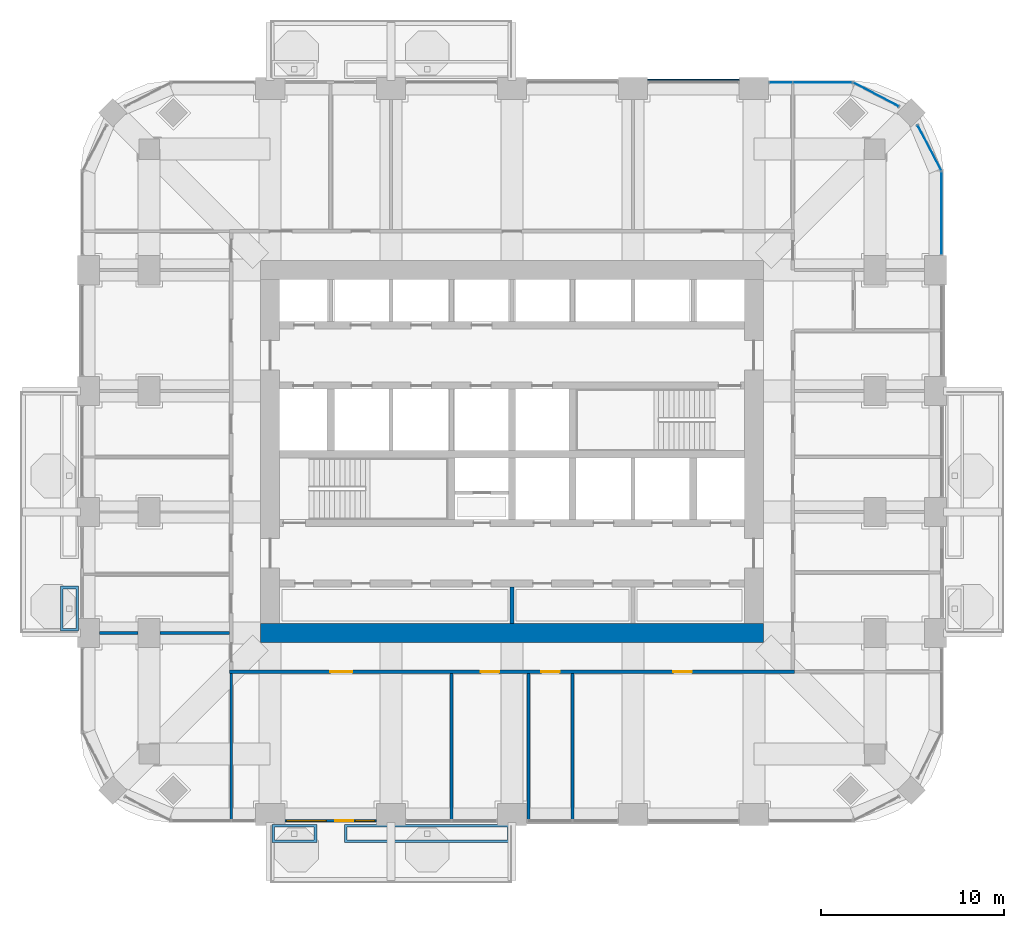
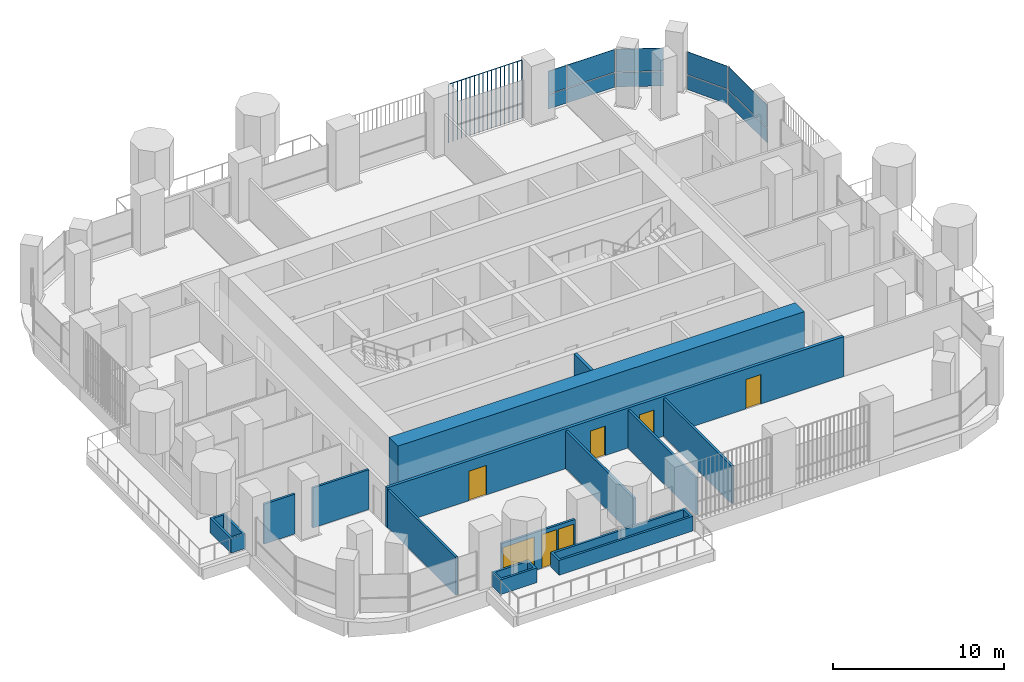
# One storey, part 11 of 20: 13 walls, 11 plates, 5 doors, 2 windows, 7 openings, 4 elements without a shape of their own.
"""IFC4 building model written with IfcOpenShell, lengths in metres."""

from ifc_helpers import new_model, si_unit, direction, frame, frame_2d, origin, origin_2d, place, context, subcontext, project, spatial, polyline, rectangle, outline, extrude, material, layer, layer_set, type_object, element, fill, aggregate, save


model = new_model("IFC4")

# Units and contexts
model_context = context("Model", 3, precision=1e-05, world=origin(), true_north=direction((0.0, 1.0)))
body_context = subcontext(model_context, "Body", "Model", "MODEL_VIEW")
ifc_project = project(units=[si_unit("LENGTHUNIT", "METRE"), si_unit("AREAUNIT", "SQUARE_METRE"), si_unit("VOLUMEUNIT", "CUBIC_METRE"), si_unit("PLANEANGLEUNIT", "RADIAN"), si_unit("MASSUNIT", "GRAM", prefix="KILO")], contexts=[model_context])

# Site, building, storey
site_placement = place(None, origin())
site = spatial("IfcSite", under=ifc_project, at=site_placement, CompositionType="ELEMENT")
building_placement = place(site_placement, origin())
building = spatial("IfcBuilding", under=site, at=building_placement, Name="Cobogo Forest Laboratory Tower", CompositionType="ELEMENT")
storey_placement = place(building_placement, frame((0.0, 0.0, 193.5)))
storey = spatial("IfcBuildingStorey", under=building, at=storey_placement, Name="L44", CompositionType="ELEMENT", Elevation=193.5)

# Curtain wall, plates
ifc_material_1 = material(Name="Aluminium curtain wall", Category="aluminium")
curtain_wall_type = type_object("IfcCurtainWallType", Name="CW-2 unitised curtain wall, solar control glazing, laboratory floors zones C and D", PredefinedType="USERDEFINED", material=ifc_material_1)
curtain_wall_1_placement = place(storey_placement, origin())
curtain_wall_1 = element("IfcCurtainWall", 1, at=curtain_wall_1_placement, inside=storey, type_object=curtain_wall_type, Name="Curtain wall 13 L44", ObjectType="UNITISED CURTAIN WALL", PredefinedType="USERDEFINED")
ifc_material_2 = material(Name="Solar control insulated glass", Category="glass")
ifc_layer_1 = layer(ifc_material_2, 0.031982421875)
ifc_layer_set_1 = layer_set([ifc_layer_1], Name="GP-2 solar control glass unit 32")
plate_type_1 = type_object("IfcPlateType", Name="GP-2 solar control glass unit 32", PredefinedType="CURTAIN_PANEL", material=ifc_layer_set_1)
plate_1_placement = place(storey_placement, frame((49.85009765625, 36.10009765625, 0.0), z_axis=(0.0, 0.0, 1.0), x_axis=(0.0, 1.0, 0.0)))
plate_1 = element("IfcPlate", 2, at=plate_1_placement, type_object=plate_type_1, Name="CW-2 panel 1.1", PredefinedType="CURTAIN_PANEL", context=body_context, shape_type="SweptSolid", body=[
    extrude(rectangle(XDim=4.47998046875, YDim=0.031982421875, at=origin_2d()), origin(), (0.0, 0.0, 1.0), 1.02001953125),
])
plate_2_placement = place(storey_placement, frame((49.85009765625, 36.10009765625, 1.079833984375), z_axis=(0.0, 0.0, 1.0), x_axis=(0.0, 1.0, 0.0)))
plate_2 = element("IfcPlate", 3, at=plate_2_placement, type_object=plate_type_1, Name="CW-2 panel 1.2", PredefinedType="CURTAIN_PANEL", context=body_context, shape_type="SweptSolid", body=[
    extrude(rectangle(XDim=4.47998046875, YDim=0.031982421875, at=origin_2d()), origin(), (0.0, 0.0, 1.0), 1.6201171875),
])
aggregate(curtain_wall_1, [plate_1, plate_2])

curtain_wall_2_placement = place(storey_placement, origin())
curtain_wall_2 = element("IfcCurtainWall", 4, at=curtain_wall_2_placement, inside=storey, type_object=curtain_wall_type, Name="Curtain wall 14 L44", ObjectType="UNITISED CURTAIN WALL", PredefinedType="USERDEFINED")
plate_3_placement = place(storey_placement, frame((49.181396484375, 39.675537109375, 0.0), z_axis=(0.0, 0.0, 1.0), x_axis=(-0.464283804832, 0.885686484356, 0.0)))
plate_3 = element("IfcPlate", 5, at=plate_3_placement, type_object=plate_type_1, Name="CW-2 panel 1.1", PredefinedType="CURTAIN_PANEL", context=body_context, shape_type="SweptSolid", body=[
    extrude(rectangle(XDim=2.76025390625, YDim=0.031982421875, at=origin_2d()), origin(), (0.0, 0.0, 1.0), 1.02001953125),
])
plate_4_placement = place(storey_placement, frame((49.181396484375, 39.675537109375, 1.079833984375), z_axis=(0.0, 0.0, 1.0), x_axis=(-0.464283804832, 0.885686484356, 0.0)))
plate_4 = element("IfcPlate", 6, at=plate_4_placement, type_object=plate_type_1, Name="CW-2 panel 1.2", PredefinedType="CURTAIN_PANEL", context=body_context, shape_type="SweptSolid", body=[
    extrude(rectangle(XDim=2.76025390625, YDim=0.031982421875, at=origin_2d()), origin(), (0.0, 0.0, 1.0), 1.6201171875),
])
aggregate(curtain_wall_2, [plate_3, plate_4])

curtain_wall_3_placement = place(storey_placement, origin())
curtain_wall_3 = element("IfcCurtainWall", 7, at=curtain_wall_3_placement, inside=storey, type_object=curtain_wall_type, Name="Curtain wall 15 L44", ObjectType="UNITISED CURTAIN WALL", PredefinedType="USERDEFINED")
plate_5_placement = place(storey_placement, frame((46.275634765625, 42.581298828125, 0.0), z_axis=(0.0, 0.0, 1.0), x_axis=(-0.885686484356, 0.464283804832, 0.0)))
plate_5 = element("IfcPlate", 8, at=plate_5_placement, type_object=plate_type_1, Name="CW-2 panel 1.1", PredefinedType="CURTAIN_PANEL", context=body_context, shape_type="SweptSolid", body=[
    extrude(rectangle(XDim=2.76025390625, YDim=0.031982421875, at=origin_2d()), origin(), (0.0, 0.0, 1.0), 1.02001953125),
])
plate_6_placement = place(storey_placement, frame((46.275634765625, 42.581298828125, 1.079833984375), z_axis=(0.0, 0.0, 1.0), x_axis=(-0.885686484356, 0.464283804832, 0.0)))
plate_6 = element("IfcPlate", 9, at=plate_6_placement, type_object=plate_type_1, Name="CW-2 panel 1.2", PredefinedType="CURTAIN_PANEL", context=body_context, shape_type="SweptSolid", body=[
    extrude(rectangle(XDim=2.76025390625, YDim=0.031982421875, at=origin_2d()), origin(), (0.0, 0.0, 1.0), 1.6201171875),
])
aggregate(curtain_wall_3, [plate_5, plate_6])

curtain_wall_4_placement = place(storey_placement, origin())
curtain_wall_4 = element("IfcCurtainWall", 10, at=curtain_wall_4_placement, inside=storey, type_object=curtain_wall_type, Name="Curtain wall 16 L44", ObjectType="UNITISED CURTAIN WALL", PredefinedType="USERDEFINED")
plate_7_placement = place(storey_placement, frame((43.347412109375, 43.25, 0.0), z_axis=(0.0, 0.0, 1.0), x_axis=(-1.0, 0.0, 0.0)))
plate_7 = element("IfcPlate", 11, at=plate_7_placement, type_object=plate_type_1, Name="CW-2 panel 1.1", PredefinedType="CURTAIN_PANEL", context=body_context, shape_type="SweptSolid", body=[
    extrude(rectangle(XDim=3.18505859375, YDim=0.031982421875, at=origin_2d()), origin(), (0.0, 0.0, 1.0), 1.02001953125),
])
plate_8_placement = place(storey_placement, frame((43.347412109375, 43.25, 1.079833984375), z_axis=(0.0, 0.0, 1.0), x_axis=(-1.0, 0.0, 0.0)))
plate_8 = element("IfcPlate", 12, at=plate_8_placement, type_object=plate_type_1, Name="CW-2 panel 1.2", PredefinedType="CURTAIN_PANEL", context=body_context, shape_type="SweptSolid", body=[
    extrude(rectangle(XDim=3.18505859375, YDim=0.031982421875, at=origin_2d()), origin(), (0.0, 0.0, 1.0), 1.6201171875),
])
plate_9_placement = place(storey_placement, frame((41.077392578125, 43.25, 0.0), z_axis=(0.0, 0.0, 1.0), x_axis=(-1.0, 0.0, 0.0)))
plate_9 = element("IfcPlate", 13, at=plate_9_placement, type_object=plate_type_1, Name="CW-2 panel 2.1", PredefinedType="CURTAIN_PANEL", context=body_context, shape_type="SweptSolid", body=[
    extrude(rectangle(XDim=1.235107421875, YDim=0.031982421875, at=origin_2d()), origin(), (0.0, 0.0, 1.0), 1.02001953125),
])
plate_10_placement = place(storey_placement, frame((41.077392578125, 43.25, 1.079833984375), z_axis=(0.0, 0.0, 1.0), x_axis=(-1.0, 0.0, 0.0)))
plate_10 = element("IfcPlate", 14, at=plate_10_placement, type_object=plate_type_1, Name="CW-2 panel 2.2", PredefinedType="CURTAIN_PANEL", context=body_context, shape_type="SweptSolid", body=[
    extrude(rectangle(XDim=1.235107421875, YDim=0.031982421875, at=origin_2d()), origin(), (0.0, 0.0, 1.0), 1.6201171875),
])
aggregate(curtain_wall_4, [plate_7, plate_8, plate_9, plate_10])

# Plate
ifc_material_3 = material(Name="Terracotta", Category="masonry")
plate_type_2 = type_object("IfcPlateType", Name="TB1 terracotta baguette screen", PredefinedType="USERDEFINED", material=ifc_material_3)
plate_11_placement = place(storey_placement, frame((33.831298828125, 43.3779296875, -0.14990234375)))
element("IfcPlate", 15, at=plate_11_placement, inside=storey, type_object=plate_type_2, Name="Baguette screen N4 L44", ObjectType="BAGUETTE SCREEN", PredefinedType="USERDEFINED", context=body_context, shape_type="SweptSolid", body=[
    extrude(outline(polyline([(0.02880859375, 0.011962890625), (0.011962890625, 0.02880859375), (-0.011962890625, 0.02880859375), (-0.02880859375, 0.011962890625), (-0.02880859375, -0.011962890625), (-0.011962890625, -0.02880859375), (0.011962890625, -0.02880859375), (0.02880859375, -0.011962890625), (0.02880859375, 0.011962890625)])), frame((0.0, 0.0, 4.168701171875), z_axis=(1.0, 0.0, 0.0), x_axis=(0.0, 1.0, 0.0)), (0.0, 0.0, 1.0), 4.9375),
    extrude(outline(polyline([(0.02880859375, 0.011962890625), (0.011962890625, 0.02880859375), (-0.011962890625, 0.02880859375), (-0.02880859375, 0.011962890625), (-0.02880859375, -0.011962890625), (-0.011962890625, -0.02880859375), (0.011962890625, -0.02880859375), (0.02880859375, -0.011962890625), (0.02880859375, 0.011962890625)])), origin(), (0.0, 0.0, 1.0), 4.137451171875),
    extrude(outline(polyline([(0.02880859375, 0.011962890625), (0.011962890625, 0.02880859375), (-0.011962890625, 0.02880859375), (-0.02880859375, 0.011962890625), (-0.02880859375, -0.011962890625), (-0.011962890625, -0.02880859375), (0.011962890625, -0.02880859375), (0.02880859375, -0.011962890625), (0.02880859375, 0.011962890625)])), frame((0.29052734375, 0.0, 0.0)), (0.0, 0.0, 1.0), 4.137451171875),
    extrude(outline(polyline([(0.02880859375, 0.011962890625), (0.011962890625, 0.02880859375), (-0.011962890625, 0.02880859375), (-0.02880859375, 0.011962890625), (-0.02880859375, -0.011962890625), (-0.011962890625, -0.02880859375), (0.011962890625, -0.02880859375), (0.02880859375, -0.011962890625), (0.02880859375, 0.011962890625)])), frame((0.580810546875, 0.0, 0.0)), (0.0, 0.0, 1.0), 4.137451171875),
    extrude(outline(polyline([(0.02880859375, 0.011962890625), (0.011962890625, 0.02880859375), (-0.011962890625, 0.02880859375), (-0.02880859375, 0.011962890625), (-0.02880859375, -0.011962890625), (-0.011962890625, -0.02880859375), (0.011962890625, -0.02880859375), (0.02880859375, -0.011962890625), (0.02880859375, 0.011962890625)])), frame((0.871337890625, 0.0, 0.0)), (0.0, 0.0, 1.0), 4.137451171875),
    extrude(outline(polyline([(0.02880859375, 0.011962890625), (0.011962890625, 0.02880859375), (-0.011962890625, 0.02880859375), (-0.02880859375, 0.011962890625), (-0.02880859375, -0.011962890625), (-0.011962890625, -0.02880859375), (0.011962890625, -0.02880859375), (0.02880859375, -0.011962890625), (0.02880859375, 0.011962890625)])), frame((1.161865234375, 0.0, 0.0)), (0.0, 0.0, 1.0), 4.137451171875),
    extrude(outline(polyline([(0.02880859375, 0.011962890625), (0.011962890625, 0.02880859375), (-0.011962890625, 0.02880859375), (-0.02880859375, 0.011962890625), (-0.02880859375, -0.011962890625), (-0.011962890625, -0.02880859375), (0.011962890625, -0.02880859375), (0.02880859375, -0.011962890625), (0.02880859375, 0.011962890625)])), frame((1.4521484375, 0.0, 0.0)), (0.0, 0.0, 1.0), 4.137451171875),
    extrude(outline(polyline([(0.02880859375, 0.011962890625), (0.011962890625, 0.02880859375), (-0.011962890625, 0.02880859375), (-0.02880859375, 0.011962890625), (-0.02880859375, -0.011962890625), (-0.011962890625, -0.02880859375), (0.011962890625, -0.02880859375), (0.02880859375, -0.011962890625), (0.02880859375, 0.011962890625)])), frame((1.74267578125, 0.0, 0.0)), (0.0, 0.0, 1.0), 4.137451171875),
    extrude(outline(polyline([(0.02880859375, 0.011962890625), (0.011962890625, 0.02880859375), (-0.011962890625, 0.02880859375), (-0.02880859375, 0.011962890625), (-0.02880859375, -0.011962890625), (-0.011962890625, -0.02880859375), (0.011962890625, -0.02880859375), (0.02880859375, -0.011962890625), (0.02880859375, 0.011962890625)])), frame((2.033203125, 0.0, 0.0)), (0.0, 0.0, 1.0), 4.137451171875),
    extrude(outline(polyline([(0.02880859375, 0.011962890625), (0.011962890625, 0.02880859375), (-0.011962890625, 0.02880859375), (-0.02880859375, 0.011962890625), (-0.02880859375, -0.011962890625), (-0.011962890625, -0.02880859375), (0.011962890625, -0.02880859375), (0.02880859375, -0.011962890625), (0.02880859375, 0.011962890625)])), frame((2.323486328125, 0.0, 0.0)), (0.0, 0.0, 1.0), 4.137451171875),
    extrude(outline(polyline([(0.02880859375, 0.011962890625), (0.011962890625, 0.02880859375), (-0.011962890625, 0.02880859375), (-0.02880859375, 0.011962890625), (-0.02880859375, -0.011962890625), (-0.011962890625, -0.02880859375), (0.011962890625, -0.02880859375), (0.02880859375, -0.011962890625), (0.02880859375, 0.011962890625)])), frame((2.614013671875, 0.0, 0.0)), (0.0, 0.0, 1.0), 4.137451171875),
    extrude(outline(polyline([(0.02880859375, 0.011962890625), (0.011962890625, 0.02880859375), (-0.011962890625, 0.02880859375), (-0.02880859375, 0.011962890625), (-0.02880859375, -0.011962890625), (-0.011962890625, -0.02880859375), (0.011962890625, -0.02880859375), (0.02880859375, -0.011962890625), (0.02880859375, 0.011962890625)])), frame((2.904296875, 0.0, 0.0)), (0.0, 0.0, 1.0), 4.137451171875),
    extrude(outline(polyline([(0.02880859375, 0.011962890625), (0.011962890625, 0.02880859375), (-0.011962890625, 0.02880859375), (-0.02880859375, 0.011962890625), (-0.02880859375, -0.011962890625), (-0.011962890625, -0.02880859375), (0.011962890625, -0.02880859375), (0.02880859375, -0.011962890625), (0.02880859375, 0.011962890625)])), frame((3.19482421875, 0.0, 0.0)), (0.0, 0.0, 1.0), 4.137451171875),
    extrude(outline(polyline([(0.02880859375, 0.011962890625), (0.011962890625, 0.02880859375), (-0.011962890625, 0.02880859375), (-0.02880859375, 0.011962890625), (-0.02880859375, -0.011962890625), (-0.011962890625, -0.02880859375), (0.011962890625, -0.02880859375), (0.02880859375, -0.011962890625), (0.02880859375, 0.011962890625)])), frame((3.4853515625, 0.0, 0.0)), (0.0, 0.0, 1.0), 4.137451171875),
    extrude(outline(polyline([(0.02880859375, 0.011962890625), (0.011962890625, 0.02880859375), (-0.011962890625, 0.02880859375), (-0.02880859375, 0.011962890625), (-0.02880859375, -0.011962890625), (-0.011962890625, -0.02880859375), (0.011962890625, -0.02880859375), (0.02880859375, -0.011962890625), (0.02880859375, 0.011962890625)])), frame((3.775634765625, 0.0, 0.0)), (0.0, 0.0, 1.0), 4.137451171875),
    extrude(outline(polyline([(0.02880859375, 0.011962890625), (0.011962890625, 0.02880859375), (-0.011962890625, 0.02880859375), (-0.02880859375, 0.011962890625), (-0.02880859375, -0.011962890625), (-0.011962890625, -0.02880859375), (0.011962890625, -0.02880859375), (0.02880859375, -0.011962890625), (0.02880859375, 0.011962890625)])), frame((4.066162109375, 0.0, 0.0)), (0.0, 0.0, 1.0), 4.137451171875),
    extrude(outline(polyline([(0.02880859375, 0.011962890625), (0.011962890625, 0.02880859375), (-0.011962890625, 0.02880859375), (-0.02880859375, 0.011962890625), (-0.02880859375, -0.011962890625), (-0.011962890625, -0.02880859375), (0.011962890625, -0.02880859375), (0.02880859375, -0.011962890625), (0.02880859375, 0.011962890625)])), frame((4.356689453125, 0.0, 0.0)), (0.0, 0.0, 1.0), 4.137451171875),
    extrude(outline(polyline([(0.02880859375, 0.011962890625), (0.011962890625, 0.02880859375), (-0.011962890625, 0.02880859375), (-0.02880859375, 0.011962890625), (-0.02880859375, -0.011962890625), (-0.011962890625, -0.02880859375), (0.011962890625, -0.02880859375), (0.02880859375, -0.011962890625), (0.02880859375, 0.011962890625)])), frame((4.64697265625, 0.0, 0.0)), (0.0, 0.0, 1.0), 4.137451171875),
    extrude(outline(polyline([(0.02880859375, 0.011962890625), (0.011962890625, 0.02880859375), (-0.011962890625, 0.02880859375), (-0.02880859375, 0.011962890625), (-0.02880859375, -0.011962890625), (-0.011962890625, -0.02880859375), (0.011962890625, -0.02880859375), (0.02880859375, -0.011962890625), (0.02880859375, 0.011962890625)])), frame((4.9375, 0.0, 0.0)), (0.0, 0.0, 1.0), 4.137451171875),
])

# Wall
ifc_material_4 = material(Name="Concrete HA-50 (C50/60)", Category="concrete")
ifc_layer_2 = layer(ifc_material_4, 1.050048828125)
ifc_layer_set_2 = layer_set([ifc_layer_2], Name="CW1050 core outer wall 1050")
wall_type_1 = type_object("IfcWallType", Name="CW1050 core outer wall 1050", PredefinedType="SHEAR", material=ifc_layer_set_2)
wall_1_placement = place(storey_placement, frame((12.675048828125, 13.199951171875, 0.0), z_axis=(0.0, 0.0, 1.0), x_axis=(1.0, 0.0, 0.0)))
element("IfcWall", 16, at=wall_1_placement, inside=storey, type_object=wall_type_1, Name="Core wall CO-S L44", PredefinedType="SHEAR", context=body_context, shape_type="SweptSolid", body=[
    extrude(rectangle(XDim=27.449951171875, YDim=1.050048828125, at=frame_2d((13.72509765625, 0.0))), origin(), (0.0, 0.0, 1.0), 4.199951171875),
])

# Wall, openings, door, windows
ifc_material_5 = material(Name="Aluminium framed glazed screen", Category="aluminium")
ifc_layer_3 = layer(ifc_material_5, 0.14990234375)
ifc_layer_set_3 = layer_set([ifc_layer_3], Name="GS1 glazed door screen 150")
wall_type_2 = type_object("IfcWallType", Name="GS1 glazed door screen 150", PredefinedType="SOLIDWALL", material=ifc_layer_set_3)
wall_2_placement = place(storey_placement, frame((14.0, 2.949951171875, 0.0), z_axis=(0.0, 0.0, 1.0), x_axis=(1.0, 0.0, 0.0)))
wall_2 = element("IfcWall", 17, at=wall_2_placement, inside=storey, type_object=wall_type_2, Name="Door screen BAL-S1 L44", PredefinedType="SOLIDWALL", context=body_context, shape_type="SweptSolid", body=[
    extrude(rectangle(XDim=5.0, YDim=0.14990234375, at=frame_2d((2.5, 0.0))), origin(), (0.0, 0.0, 1.0), 2.699951171875),
])
opening_1_placement = place(wall_2_placement, frame((2.75, 0.0, 0.0)))
opening_1 = element("IfcOpeningElement", 18, at=opening_1_placement, cuts=wall_2, Name="Opening L44-D01", PredefinedType="OPENING", context=body_context, shape_type="SweptSolid", body=[
    extrude(rectangle(XDim=1.0, YDim=2.39990234375, at=frame_2d((0.5, 1.199951171875))), frame((0.0, 0.0849609375, 0.0), z_axis=(0.0, -1.0, 0.0), x_axis=(1.0, 0.0, 0.0)), (0.0, 0.0, 1.0), 0.169921875),
])
opening_2_placement = place(wall_2_placement, frame((0.10009765625, 0.0, 0.10009765625)))
opening_2 = element("IfcOpeningElement", 19, at=opening_2_placement, cuts=wall_2, Name="Opening L44-W01", PredefinedType="OPENING", context=body_context, shape_type="SweptSolid", body=[
    extrude(rectangle(XDim=2.14990234375, YDim=2.300048828125, at=frame_2d((1.074951171875, 1.14990234375))), frame((0.0, 0.0849609375, 0.0), z_axis=(0.0, -1.0, 0.0), x_axis=(1.0, 0.0, 0.0)), (0.0, 0.0, 1.0), 0.169921875),
])
opening_3_placement = place(wall_2_placement, frame((3.85009765625, 0.0, 0.10009765625)))
opening_3 = element("IfcOpeningElement", 20, at=opening_3_placement, cuts=wall_2, Name="Opening L44-W02", PredefinedType="OPENING", context=body_context, shape_type="SweptSolid", body=[
    extrude(rectangle(XDim=1.050048828125, YDim=2.300048828125, at=frame_2d((0.52490234375, 1.14990234375))), frame((0.0, 0.0849609375, 0.0), z_axis=(0.0, -1.0, 0.0), x_axis=(1.0, 0.0, 0.0)), (0.0, 0.0, 1.0), 0.169921875),
])
ifc_material_6 = material(Name="Aluminium glazed door", Category="aluminium")
door_type_1 = type_object("IfcDoorType", Name="DB1 balcony door 1000 glazed", OperationType="SINGLE_SWING_LEFT", PredefinedType="DOOR", material=ifc_material_6)
door_1_placement = place(opening_1_placement, origin())
door_1 = element("IfcDoor", 21, at=door_1_placement, inside=storey, type_object=door_type_1, Name="Door L44-BAL-S1", OperationType="SINGLE_SWING_RIGHT", OverallHeight=2.39990234375, OverallWidth=1.0, PredefinedType="DOOR", context=body_context, shape_type="SweptSolid", body=[
    extrude(rectangle(XDim=1.0, YDim=2.39990234375, at=frame_2d((0.5, 1.199951171875))), frame((0.0, 0.02490234375, 0.0), z_axis=(0.0, -1.0, 0.0), x_axis=(1.0, 0.0, 0.0)), (0.0, 0.0, 1.0), 0.050048828125),
])
fill(opening_1, door_1)
ifc_material_7 = material(Name="Aluminium framed glazing", Category="aluminium")
window_type_1 = type_object("IfcWindowType", Name="WG13 fixed glazed light 2150x2300", PartitioningType="SINGLE_PANEL", PredefinedType="WINDOW", material=ifc_material_7)
window_1_placement = place(opening_2_placement, origin())
window_1 = element("IfcWindow", 22, at=window_1_placement, inside=storey, type_object=window_type_1, Name="Window L44-BAL-S1-1", OverallHeight=2.300048828125, OverallWidth=2.14990234375, PartitioningType="SINGLE_PANEL", PredefinedType="WINDOW", context=body_context, shape_type="SweptSolid", body=[
    extrude(rectangle(XDim=2.14990234375, YDim=2.300048828125, at=frame_2d((1.074951171875, 1.14990234375))), frame((0.0, 0.030029296875, 0.0), z_axis=(0.0, -1.0, 0.0), x_axis=(1.0, 0.0, 0.0)), (0.0, 0.0, 1.0), 0.06005859375),
])
fill(opening_2, window_1)
window_type_2 = type_object("IfcWindowType", Name="WG14 fixed glazed light 1050x2300", PartitioningType="SINGLE_PANEL", PredefinedType="WINDOW", material=ifc_material_7)
window_2_placement = place(opening_3_placement, origin())
window_2 = element("IfcWindow", 23, at=window_2_placement, inside=storey, type_object=window_type_2, Name="Window L44-BAL-S1-2", OverallHeight=2.300048828125, OverallWidth=1.050048828125, PartitioningType="SINGLE_PANEL", PredefinedType="WINDOW", context=body_context, shape_type="SweptSolid", body=[
    extrude(rectangle(XDim=1.050048828125, YDim=2.300048828125, at=frame_2d((0.52490234375, 1.14990234375))), frame((0.0, 0.030029296875, 0.0), z_axis=(0.0, -1.0, 0.0), x_axis=(1.0, 0.0, 0.0)), (0.0, 0.0, 1.0), 0.06005859375),
])
fill(opening_3, window_2)

# Walls
ifc_material_8 = material(Name="Gypsum board on steel studs", Category="steel")
ifc_layer_4 = layer(ifc_material_8, 0.14990234375)
ifc_layer_set_4 = layer_set([ifc_layer_4], Name="PT1 laboratory partition 150")
wall_type_3 = type_object("IfcWallType", Name="PT1 laboratory partition 150", PredefinedType="PARTITIONING", material=ifc_layer_set_4)
for number, where, z_axis, x_axis, name in (
    (24, (11.074951171875, 3.030029296875, 0.0), (0.0, 0.0, 1.0), (0.0, 1.0, 0.0), "Partition PW-SW L44"),
    (25, (27.300048828125, 3.030029296875, 0.0), (0.0, 0.0, 1.0), (0.0, 1.0, 0.0), "Partition SVC-S1-1 L44"),
    (26, (29.699951171875, 3.030029296875, 0.0), (0.0, 0.0, 1.0), (0.0, 1.0, 0.0), "Partition SVC-S2-1 L44"),
    (27, (23.10009765625, 3.030029296875, 0.0), (0.0, 0.0, 1.0), (0.0, 1.0, 0.0), "Partition CUT-S23.1-1 L44"),
):
    element("IfcWall", number, at=place(storey_placement, frame(where, z_axis=z_axis, x_axis=x_axis)), inside=storey, type_object=wall_type_3, Name=name, PredefinedType="PARTITIONING", context=body_context, shape_type="SweptSolid", body=[
        extrude(rectangle(XDim=7.945068359375, YDim=0.14990234375, at=frame_2d((3.97265625, 0.0))), origin(), (0.0, 0.0, 1.0), 2.699951171875),
    ])
wall_3_placement = place(storey_placement, frame((3.89990234375, 13.199951171875, 0.0), z_axis=(0.0, 0.0, 1.0), x_axis=(1.0, 0.0, 0.0)))
element("IfcWall", 28, at=wall_3_placement, inside=storey, type_object=wall_type_3, Name="Partition CUT-W13.2-1 L44", PredefinedType="PARTITIONING", context=body_context, shape_type="SweptSolid", body=[
    extrude(rectangle(XDim=2.10009765625, YDim=0.14990234375, at=frame_2d((1.050048828125, 0.0))), origin(), (0.0, 0.0, 1.0), 2.85009765625),
])
wall_4_placement = place(storey_placement, frame((7.199951171875, 13.199951171875, 0.0), z_axis=(0.0, 0.0, 1.0), x_axis=(1.0, 0.0, 0.0)))
element("IfcWall", 29, at=wall_4_placement, inside=storey, type_object=wall_type_3, Name="Partition CUT-W13.2-2 L44", PredefinedType="PARTITIONING", context=body_context, shape_type="SweptSolid", body=[
    extrude(rectangle(XDim=3.775146484375, YDim=0.14990234375, at=frame_2d((1.8876953125, 0.0))), origin(), (0.0, 0.0, 1.0), 2.85009765625),
])

# Wall, openings, doors
ifc_layer_5 = layer(ifc_material_8, 0.199951171875)
ifc_layer_set_5 = layer_set([ifc_layer_5], Name="PT2 fire-rated corridor partition 200")
wall_type_4 = type_object("IfcWallType", Name="PT2 fire-rated corridor partition 200", PredefinedType="PARTITIONING", material=ifc_layer_set_5)
wall_5_placement = place(storey_placement, frame((10.97509765625, 11.074951171875, 0.0), z_axis=(0.0, 0.0, 1.0), x_axis=(1.0, 0.0, 0.0)))
wall_5 = element("IfcWall", 30, at=wall_5_placement, inside=storey, type_object=wall_type_4, Name="Partition CORR-S L44", PredefinedType="PARTITIONING", context=body_context, shape_type="SweptSolid", body=[
    extrude(rectangle(XDim=30.849853515625, YDim=0.199951171875, at=frame_2d((15.4248046875, 0.0))), origin(), (0.0, 0.0, 1.0), 2.85009765625),
])
opening_4_placement = place(wall_5_placement, frame((5.512451171875, 0.0, 0.0)))
opening_4 = element("IfcOpeningElement", 31, at=opening_4_placement, cuts=wall_5, Name="Opening L44-D02", PredefinedType="OPENING", context=body_context, shape_type="SweptSolid", body=[
    extrude(rectangle(XDim=1.199951171875, YDim=2.10009765625, at=frame_2d((0.60009765625, 1.050048828125))), frame((0.0, 0.10986328125, 0.0), z_axis=(0.0, -1.0, 0.0), x_axis=(1.0, 0.0, 0.0)), (0.0, 0.0, 1.0), 0.219970703125),
])
opening_5_placement = place(wall_5_placement, frame((13.72509765625, 0.0, 0.0)))
opening_5 = element("IfcOpeningElement", 32, at=opening_5_placement, cuts=wall_5, Name="Opening L44-D03", PredefinedType="OPENING", context=body_context, shape_type="SweptSolid", body=[
    extrude(rectangle(XDim=1.0, YDim=2.10009765625, at=frame_2d((0.5, 1.050048828125))), frame((0.0, 0.10986328125, 0.0), z_axis=(0.0, -1.0, 0.0), x_axis=(1.0, 0.0, 0.0)), (0.0, 0.0, 1.0), 0.219970703125),
])
opening_6_placement = place(wall_5_placement, frame((17.02490234375, 0.0, 0.0)))
opening_6 = element("IfcOpeningElement", 33, at=opening_6_placement, cuts=wall_5, Name="Opening L44-D04", PredefinedType="OPENING", context=body_context, shape_type="SweptSolid", body=[
    extrude(rectangle(XDim=1.0, YDim=2.10009765625, at=frame_2d((0.5, 1.050048828125))), frame((0.0, 0.10986328125, 0.0), z_axis=(0.0, -1.0, 0.0), x_axis=(1.0, 0.0, 0.0)), (0.0, 0.0, 1.0), 0.219970703125),
])
opening_7_placement = place(wall_5_placement, frame((24.237548828125, 0.0, 0.0)))
opening_7 = element("IfcOpeningElement", 34, at=opening_7_placement, cuts=wall_5, Name="Opening L44-D05", PredefinedType="OPENING", context=body_context, shape_type="SweptSolid", body=[
    extrude(rectangle(XDim=1.0, YDim=2.10009765625, at=frame_2d((0.5, 1.050048828125))), frame((0.0, 0.10986328125, 0.0), z_axis=(0.0, -1.0, 0.0), x_axis=(1.0, 0.0, 0.0)), (0.0, 0.0, 1.0), 0.219970703125),
])
ifc_material_9 = material(Name="Timber door", Category="wood")
door_type_2 = type_object("IfcDoorType", Name="D2 laboratory door 1200 unequal pair", OperationType="DOUBLE_DOOR_SINGLE_SWING", PredefinedType="DOOR", material=ifc_material_9)
door_2_placement = place(opening_4_placement, origin())
door_2 = element("IfcDoor", 35, at=door_2_placement, inside=storey, type_object=door_type_2, Name="Door L44-S1", OperationType="DOUBLE_DOOR_SINGLE_SWING", OverallHeight=2.10009765625, OverallWidth=1.199951171875, PredefinedType="DOOR", context=body_context, shape_type="SweptSolid", body=[
    extrude(rectangle(XDim=1.199951171875, YDim=2.10009765625, at=frame_2d((0.60009765625, 1.050048828125))), frame((0.0, 0.02490234375, 0.0), z_axis=(0.0, -1.0, 0.0), x_axis=(1.0, 0.0, 0.0)), (0.0, 0.0, 1.0), 0.050048828125),
])
fill(opening_4, door_2)
ifc_material_10 = material(Name="Timber fire door", Category="wood")
door_type_3 = type_object("IfcDoorType", Name="FD2 fire door 1000 EI2 30", OperationType="SINGLE_SWING_LEFT", PredefinedType="DOOR", material=ifc_material_10)
door_3_placement = place(opening_5_placement, origin())
door_3 = element("IfcDoor", 36, at=door_3_placement, inside=storey, type_object=door_type_3, Name="Door L44-MTG", OperationType="SINGLE_SWING_LEFT", OverallHeight=2.10009765625, OverallWidth=1.0, PredefinedType="DOOR", context=body_context, shape_type="SweptSolid", body=[
    extrude(rectangle(XDim=1.0, YDim=2.10009765625, at=frame_2d((0.5, 1.050048828125))), frame((0.0, 0.02490234375, 0.0), z_axis=(0.0, -1.0, 0.0), x_axis=(1.0, 0.0, 0.0)), (0.0, 0.0, 1.0), 0.050048828125),
])
fill(opening_5, door_3)
door_4_placement = place(opening_6_placement, origin())
door_4 = element("IfcDoor", 37, at=door_4_placement, inside=storey, type_object=door_type_3, Name="Door L44-PAN", OperationType="SINGLE_SWING_RIGHT", OverallHeight=2.10009765625, OverallWidth=1.0, PredefinedType="DOOR", context=body_context, shape_type="SweptSolid", body=[
    extrude(rectangle(XDim=1.0, YDim=2.10009765625, at=frame_2d((0.5, 1.050048828125))), frame((0.0, 0.02490234375, 0.0), z_axis=(0.0, -1.0, 0.0), x_axis=(1.0, 0.0, 0.0)), (0.0, 0.0, 1.0), 0.050048828125),
])
fill(opening_6, door_4)
door_5_placement = place(opening_7_placement, origin())
door_5 = element("IfcDoor", 38, at=door_5_placement, inside=storey, type_object=door_type_3, Name="Door L44-S2", OperationType="SINGLE_SWING_RIGHT", OverallHeight=2.10009765625, OverallWidth=1.0, PredefinedType="DOOR", context=body_context, shape_type="SweptSolid", body=[
    extrude(rectangle(XDim=1.0, YDim=2.10009765625, at=frame_2d((0.5, 1.050048828125))), frame((0.0, 0.02490234375, 0.0), z_axis=(0.0, -1.0, 0.0), x_axis=(1.0, 0.0, 0.0)), (0.0, 0.0, 1.0), 0.050048828125),
])
fill(opening_7, door_5)

# Walls
ifc_material_11 = material(Name="Concrete HA-40 (C40/50)", Category="concrete")
ifc_layer_6 = layer(ifc_material_11, 0.14990234375)
ifc_layer_set_6 = layer_set([ifc_layer_6], Name="Planter box 1000x1050")
wall_type_5 = type_object("IfcWallType", Name="Planter box 1000x1050", PredefinedType="USERDEFINED", material=ifc_layer_set_6)
wall_6_placement = place(storey_placement, origin())
element("IfcWall", 39, at=wall_6_placement, inside=storey, type_object=wall_type_5, Name="Planter BAL-S1-1 L44", ObjectType="PLANTER", PredefinedType="USERDEFINED", context=body_context, shape_type="SweptSolid", body=[
    extrude(outline(polyline([(13.300048828125, 1.75), (15.75, 1.75), (15.75, 2.75), (13.300048828125, 2.75), (13.300048828125, 1.75)]), holes=[polyline([(13.449951171875, 1.89990234375), (15.60009765625, 1.89990234375), (15.60009765625, 2.60009765625), (13.449951171875, 2.60009765625), (13.449951171875, 1.89990234375)])]), origin(), (0.0, 0.0, 1.0), 1.050048828125),
])
wall_7_placement = place(storey_placement, origin())
element("IfcWall", 40, at=wall_7_placement, inside=storey, type_object=wall_type_5, Name="Planter BAL-S1-2 L44", ObjectType="PLANTER", PredefinedType="USERDEFINED", context=body_context, shape_type="SweptSolid", body=[
    extrude(outline(polyline([(17.25, 1.75), (26.300048828125, 1.75), (26.300048828125, 2.75), (17.25, 2.75), (17.25, 1.75)]), holes=[polyline([(17.39990234375, 1.89990234375), (26.14990234375, 1.89990234375), (26.14990234375, 2.60009765625), (17.39990234375, 2.60009765625), (17.39990234375, 1.89990234375)])]), origin(), (0.0, 0.0, 1.0), 1.050048828125),
])
wall_8_placement = place(storey_placement, origin())
element("IfcWall", 41, at=wall_8_placement, inside=storey, type_object=wall_type_5, Name="Planter BAL-W1-1 L44", ObjectType="PLANTER", PredefinedType="USERDEFINED", context=body_context, shape_type="SweptSolid", body=[
    extrude(outline(polyline([(1.75, 13.300048828125), (2.75, 13.300048828125), (2.75, 15.75), (1.75, 15.75), (1.75, 13.300048828125)]), holes=[polyline([(1.89990234375, 13.449951171875), (2.60009765625, 13.449951171875), (2.60009765625, 15.60009765625), (1.89990234375, 15.60009765625), (1.89990234375, 13.449951171875)])]), origin(), (0.0, 0.0, 1.0), 1.050048828125),
])
ifc_material_12 = material(Name="Concrete block", Category="concrete")
ifc_layer_7 = layer(ifc_material_12, 0.199951171875)
ifc_layer_set_7 = layer_set([ifc_layer_7], Name="SW200 lift shaft separator 200")
wall_type_6 = type_object("IfcWallType", Name="SW200 lift shaft separator 200", PredefinedType="PARTITIONING", material=ifc_layer_set_7)
wall_9_placement = place(storey_placement, frame((26.39990234375, 13.72509765625, 0.0), z_axis=(0.0, 0.0, 1.0), x_axis=(0.0, 1.0, 0.0)))
element("IfcWall", 42, at=wall_9_placement, inside=storey, type_object=wall_type_6, Name="Core wall SEP-S4 L44", PredefinedType="PARTITIONING", context=body_context, shape_type="SweptSolid", body=[
    extrude(rectangle(XDim=1.974853515625, YDim=0.199951171875, at=frame_2d((0.9873046875, 0.0))), origin(), (0.0, 0.0, 1.0), 4.199951171875),
])

save(model, "model.ifc")
